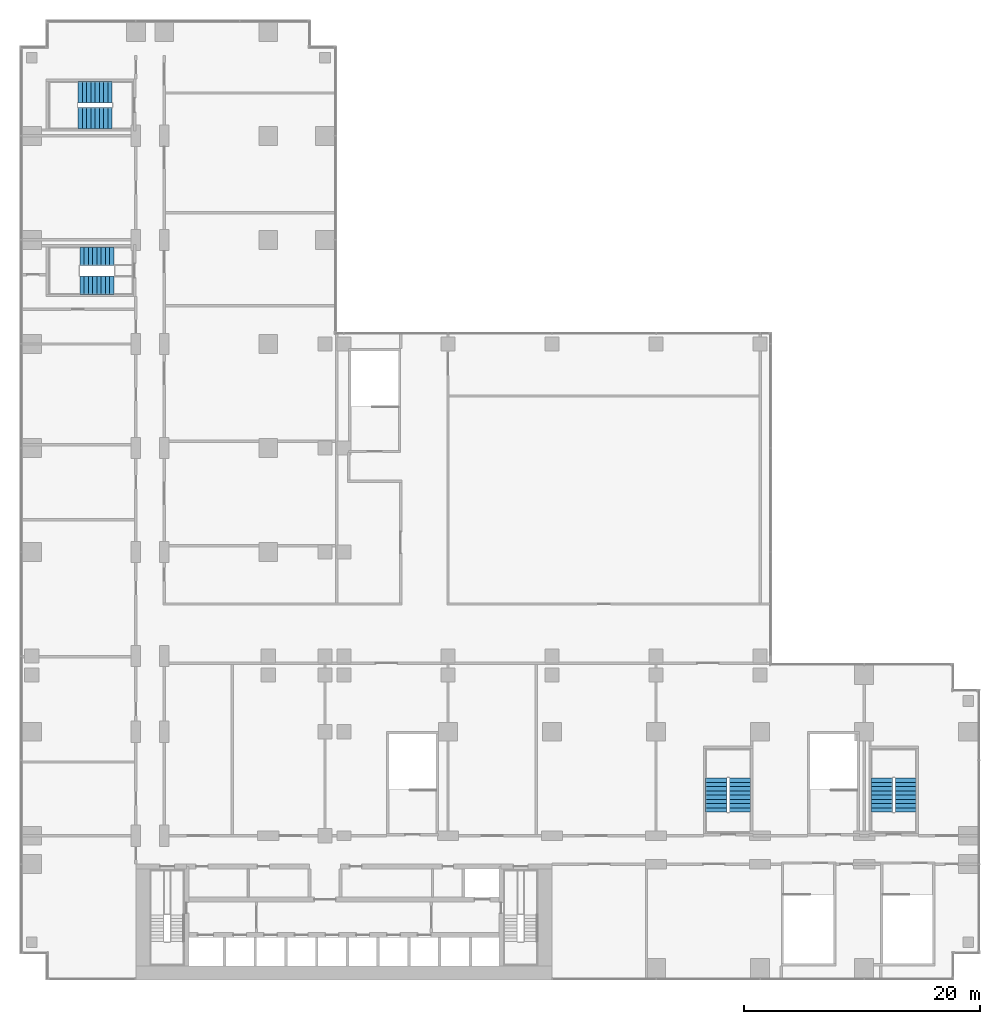
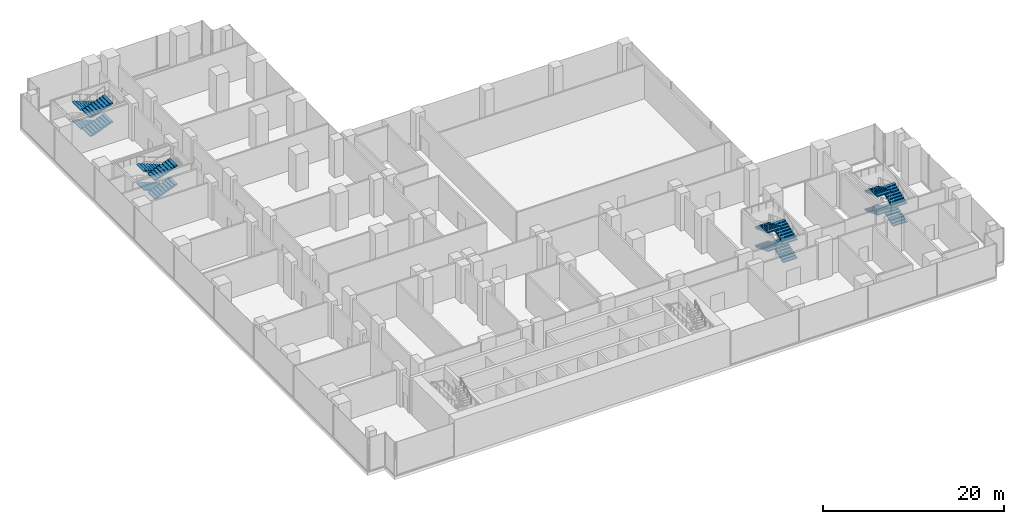
# One storey, part 23 of 27: 16 stair flights, 4 elements without a shape of their own.
"""IFC4 building model written with IfcOpenShell, lengths in metres."""

from ifc_helpers import new_model, si_unit, direction, frame, origin, place, context, subcontext, project, spatial, polyline, outline, extrude, material, type_object, element, aggregate, save


model = new_model("IFC4")

# Units and contexts
model_context = context("Model", 3, precision=1e-05, world=origin(), true_north=direction((0.0, 1.0)))
body_context = subcontext(model_context, "Body", "Model", "MODEL_VIEW")
ifc_project = project(units=[si_unit("LENGTHUNIT", "METRE"), si_unit("AREAUNIT", "SQUARE_METRE"), si_unit("VOLUMEUNIT", "CUBIC_METRE"), si_unit("PLANEANGLEUNIT", "RADIAN"), si_unit("MASSUNIT", "GRAM", prefix="KILO")], contexts=[model_context])

# Site, building, storey
site_placement = place(None, origin())
site = spatial("IfcSite", under=ifc_project, at=site_placement, CompositionType="ELEMENT")
building_placement = place(site_placement, origin())
building = spatial("IfcBuilding", under=site, at=building_placement, Name="Kemantara Hotel Tower", CompositionType="ELEMENT")
storey_placement = place(building_placement, frame((0.0, 0.0, 29.0)))
storey = spatial("IfcBuildingStorey", under=building, at=storey_placement, Name="L05", CompositionType="ELEMENT", Elevation=29.0)

# Stair, stair flights
ifc_material = material(Name="Concrete fc 40 MPa", Category="concrete")
stair_type_1 = type_object("IfcStairType", Name="Stair 1550 wide 36 risers of 139 x 360 mm", PredefinedType="HALF_TURN_STAIR", material=ifc_material)
stair_1_placement = place(storey_placement, origin())
stair_1 = element("IfcStair", 1, at=stair_1_placement, inside=storey, type_object=stair_type_1, Name="L05 Exit stair ST4", PredefinedType="HALF_TURN_STAIR")
stair_flight_type_1 = type_object("IfcStairFlightType", Name="Stair flight 1550 wide 139 x 360 mm", PredefinedType="STRAIGHT", material=ifc_material)
stair_flight_1_placement = place(storey_placement, frame((7.949951171875, 61.22509765625, 0.0), z_axis=(0.0, 0.0, 1.0), x_axis=(-1.0, 0.0, 0.0)))
stair_flight_1 = element("IfcStairFlight", 2, at=stair_flight_1_placement, type_object=stair_flight_type_1, Name="ST4 flight 1", NumberOfRisers=9, NumberOfTreads=8, PredefinedType="STRAIGHT", RiserHeight=0.138888889, TreadLength=0.36, context=body_context, shape_type="SweptSolid", body=[
    extrude(outline(polyline([(0.0, 0.0), (0.0, 0.138916015625), (0.360107421875, 0.138916015625), (0.360107421875, 0.27783203125), (0.719970703125, 0.27783203125), (0.719970703125, 0.416748046875), (1.080078125, 0.416748046875), (1.080078125, 0.5556640625), (1.43994140625, 0.5556640625), (1.43994140625, 0.6943359375), (1.800048828125, 0.6943359375), (1.800048828125, 0.833251953125), (2.159912109375, 0.833251953125), (2.159912109375, 0.97216796875), (2.52001953125, 0.97216796875), (2.52001953125, 1.111083984375), (2.8798828125, 1.111083984375), (2.8798828125, 1.25), (2.8798828125, 0.950439453125), (0.41650390625, 0.0), (0.0, 0.0)])), frame((0.0, 0.77490234375, 0.0), z_axis=(0.0, -1.0, 0.0), x_axis=(1.0, 0.0, 0.0)), (0.0, 0.0, 1.0), 1.550048828125),
])
stair_flight_2_placement = place(storey_placement, frame((5.070068359375, 58.77490234375, 1.25), z_axis=(0.0, 0.0, 1.0), x_axis=(1.0, 0.0, 0.0)))
stair_flight_2 = element("IfcStairFlight", 3, at=stair_flight_2_placement, type_object=stair_flight_type_1, Name="ST4 flight 2", NumberOfRisers=9, NumberOfTreads=8, PredefinedType="STRAIGHT", RiserHeight=0.138888889, TreadLength=0.36, context=body_context, shape_type="SweptSolid", body=[
    extrude(outline(polyline([(0.0, 0.0), (0.0, 0.138916015625), (0.360107421875, 0.138916015625), (0.360107421875, 0.27783203125), (0.719970703125, 0.27783203125), (0.719970703125, 0.416748046875), (1.080078125, 0.416748046875), (1.080078125, 0.5556640625), (1.43994140625, 0.5556640625), (1.43994140625, 0.6943359375), (1.800048828125, 0.6943359375), (1.800048828125, 0.833251953125), (2.159912109375, 0.833251953125), (2.159912109375, 0.97216796875), (2.52001953125, 0.97216796875), (2.52001953125, 1.111083984375), (2.8798828125, 1.111083984375), (2.8798828125, 1.25), (2.8798828125, 0.950439453125), (0.41650390625, 0.0), (0.0, 0.0)])), frame((0.0, 0.77490234375, 0.0), z_axis=(0.0, -1.0, 0.0), x_axis=(1.0, 0.0, 0.0)), (0.0, 0.0, 1.0), 1.550048828125),
])
stair_flight_3_placement = place(storey_placement, frame((7.949951171875, 61.22509765625, 2.5), z_axis=(0.0, 0.0, 1.0), x_axis=(-1.0, 0.0, 0.0)))
stair_flight_3 = element("IfcStairFlight", 4, at=stair_flight_3_placement, type_object=stair_flight_type_1, Name="ST4 flight 3", NumberOfRisers=9, NumberOfTreads=8, PredefinedType="STRAIGHT", RiserHeight=0.138888889, TreadLength=0.36, context=body_context, shape_type="SweptSolid", body=[
    extrude(outline(polyline([(0.0, 0.0), (0.0, 0.138916015625), (0.360107421875, 0.138916015625), (0.360107421875, 0.27783203125), (0.719970703125, 0.27783203125), (0.719970703125, 0.416748046875), (1.080078125, 0.416748046875), (1.080078125, 0.5556640625), (1.43994140625, 0.5556640625), (1.43994140625, 0.6943359375), (1.800048828125, 0.6943359375), (1.800048828125, 0.833251953125), (2.159912109375, 0.833251953125), (2.159912109375, 0.97216796875), (2.52001953125, 0.97216796875), (2.52001953125, 1.111083984375), (2.8798828125, 1.111083984375), (2.8798828125, 1.25), (2.8798828125, 0.950439453125), (0.41650390625, 0.0), (0.0, 0.0)])), frame((0.0, 0.77490234375, 0.0), z_axis=(0.0, -1.0, 0.0), x_axis=(1.0, 0.0, 0.0)), (0.0, 0.0, 1.0), 1.550048828125),
])
stair_flight_4_placement = place(storey_placement, frame((5.070068359375, 58.77490234375, 3.75), z_axis=(0.0, 0.0, 1.0), x_axis=(1.0, 0.0, 0.0)))
stair_flight_4 = element("IfcStairFlight", 5, at=stair_flight_4_placement, type_object=stair_flight_type_1, Name="ST4 flight 4", NumberOfRisers=9, NumberOfTreads=8, PredefinedType="STRAIGHT", RiserHeight=0.138888889, TreadLength=0.36, context=body_context, shape_type="SweptSolid", body=[
    extrude(outline(polyline([(0.0, 0.0), (0.0, 0.138916015625), (0.360107421875, 0.138916015625), (0.360107421875, 0.27783203125), (0.719970703125, 0.27783203125), (0.719970703125, 0.416748046875), (1.080078125, 0.416748046875), (1.080078125, 0.5556640625), (1.43994140625, 0.5556640625), (1.43994140625, 0.6943359375), (1.800048828125, 0.6943359375), (1.800048828125, 0.833251953125), (2.159912109375, 0.833251953125), (2.159912109375, 0.97216796875), (2.52001953125, 0.97216796875), (2.52001953125, 1.111083984375), (2.8798828125, 1.111083984375), (2.8798828125, 1.25), (2.8798828125, 0.950439453125), (0.41650390625, 0.0), (0.0, 0.0)])), frame((0.0, 0.77490234375, 0.0), z_axis=(0.0, -1.0, 0.0), x_axis=(1.0, 0.0, 0.0)), (0.0, 0.0, 1.0), 1.550048828125),
])
aggregate(stair_1, [stair_flight_1, stair_flight_2, stair_flight_3, stair_flight_4])

stair_type_2 = type_object("IfcStairType", Name="Stair 1800 wide 36 risers of 139 x 360 mm", PredefinedType="HALF_TURN_STAIR", material=ifc_material)
stair_2_placement = place(storey_placement, origin())
stair_2 = element("IfcStair", 6, at=stair_2_placement, inside=storey, type_object=stair_type_2, Name="L05 Exit stair ST3", PredefinedType="HALF_TURN_STAIR")
stair_flight_type_2 = type_object("IfcStairFlightType", Name="Stair flight 1800 wide 139 x 360 mm", PredefinedType="STRAIGHT", material=ifc_material)
stair_flight_5_placement = place(storey_placement, frame((60.89990234375, 14.199951171875, 0.0), z_axis=(0.0, 0.0, 1.0), x_axis=(0.0, 1.0, 0.0)))
stair_flight_5 = element("IfcStairFlight", 7, at=stair_flight_5_placement, type_object=stair_flight_type_2, Name="ST3 flight 1", NumberOfRisers=9, NumberOfTreads=8, PredefinedType="STRAIGHT", RiserHeight=0.138888889, TreadLength=0.36, context=body_context, shape_type="SweptSolid", body=[
    extrude(outline(polyline([(0.0, 0.0), (0.0, 0.138916015625), (0.360107421875, 0.138916015625), (0.360107421875, 0.27783203125), (0.719970703125, 0.27783203125), (0.719970703125, 0.416748046875), (1.080078125, 0.416748046875), (1.080078125, 0.5556640625), (1.43994140625, 0.5556640625), (1.43994140625, 0.6943359375), (1.800048828125, 0.6943359375), (1.800048828125, 0.833251953125), (2.159912109375, 0.833251953125), (2.159912109375, 0.97216796875), (2.52001953125, 0.97216796875), (2.52001953125, 1.111083984375), (2.8798828125, 1.111083984375), (2.8798828125, 1.25), (2.8798828125, 0.950439453125), (0.41650390625, 0.0), (0.0, 0.0)])), frame((0.0, 0.89990234375, 0.0), z_axis=(0.0, -1.0, 0.0), x_axis=(1.0, 0.0, 0.0)), (0.0, 0.0, 1.0), 1.800048828125),
])
stair_flight_6_placement = place(storey_placement, frame((58.89990234375, 17.080078125, 1.25), z_axis=(0.0, 0.0, 1.0), x_axis=(0.0, -1.0, 0.0)))
stair_flight_6 = element("IfcStairFlight", 8, at=stair_flight_6_placement, type_object=stair_flight_type_2, Name="ST3 flight 2", NumberOfRisers=9, NumberOfTreads=8, PredefinedType="STRAIGHT", RiserHeight=0.138888889, TreadLength=0.36, context=body_context, shape_type="SweptSolid", body=[
    extrude(outline(polyline([(0.0, 0.0), (0.0, 0.138916015625), (0.360107421875, 0.138916015625), (0.360107421875, 0.27783203125), (0.719970703125, 0.27783203125), (0.719970703125, 0.416748046875), (1.080078125, 0.416748046875), (1.080078125, 0.5556640625), (1.43994140625, 0.5556640625), (1.43994140625, 0.6943359375), (1.800048828125, 0.6943359375), (1.800048828125, 0.833251953125), (2.159912109375, 0.833251953125), (2.159912109375, 0.97216796875), (2.52001953125, 0.97216796875), (2.52001953125, 1.111083984375), (2.8798828125, 1.111083984375), (2.8798828125, 1.25), (2.8798828125, 0.950439453125), (0.41650390625, 0.0), (0.0, 0.0)])), frame((0.0, 0.89990234375, 0.0), z_axis=(0.0, -1.0, 0.0), x_axis=(1.0, 0.0, 0.0)), (0.0, 0.0, 1.0), 1.800048828125),
])
stair_flight_7_placement = place(storey_placement, frame((60.89990234375, 14.199951171875, 2.5), z_axis=(0.0, 0.0, 1.0), x_axis=(0.0, 1.0, 0.0)))
stair_flight_7 = element("IfcStairFlight", 9, at=stair_flight_7_placement, type_object=stair_flight_type_2, Name="ST3 flight 3", NumberOfRisers=9, NumberOfTreads=8, PredefinedType="STRAIGHT", RiserHeight=0.138888889, TreadLength=0.36, context=body_context, shape_type="SweptSolid", body=[
    extrude(outline(polyline([(0.0, 0.0), (0.0, 0.138916015625), (0.360107421875, 0.138916015625), (0.360107421875, 0.27783203125), (0.719970703125, 0.27783203125), (0.719970703125, 0.416748046875), (1.080078125, 0.416748046875), (1.080078125, 0.5556640625), (1.43994140625, 0.5556640625), (1.43994140625, 0.6943359375), (1.800048828125, 0.6943359375), (1.800048828125, 0.833251953125), (2.159912109375, 0.833251953125), (2.159912109375, 0.97216796875), (2.52001953125, 0.97216796875), (2.52001953125, 1.111083984375), (2.8798828125, 1.111083984375), (2.8798828125, 1.25), (2.8798828125, 0.950439453125), (0.41650390625, 0.0), (0.0, 0.0)])), frame((0.0, 0.89990234375, 0.0), z_axis=(0.0, -1.0, 0.0), x_axis=(1.0, 0.0, 0.0)), (0.0, 0.0, 1.0), 1.800048828125),
])
stair_flight_8_placement = place(storey_placement, frame((58.89990234375, 17.080078125, 3.75), z_axis=(0.0, 0.0, 1.0), x_axis=(0.0, -1.0, 0.0)))
stair_flight_8 = element("IfcStairFlight", 10, at=stair_flight_8_placement, type_object=stair_flight_type_2, Name="ST3 flight 4", NumberOfRisers=9, NumberOfTreads=8, PredefinedType="STRAIGHT", RiserHeight=0.138888889, TreadLength=0.36, context=body_context, shape_type="SweptSolid", body=[
    extrude(outline(polyline([(0.0, 0.0), (0.0, 0.138916015625), (0.360107421875, 0.138916015625), (0.360107421875, 0.27783203125), (0.719970703125, 0.27783203125), (0.719970703125, 0.416748046875), (1.080078125, 0.416748046875), (1.080078125, 0.5556640625), (1.43994140625, 0.5556640625), (1.43994140625, 0.6943359375), (1.800048828125, 0.6943359375), (1.800048828125, 0.833251953125), (2.159912109375, 0.833251953125), (2.159912109375, 0.97216796875), (2.52001953125, 0.97216796875), (2.52001953125, 1.111083984375), (2.8798828125, 1.111083984375), (2.8798828125, 1.25), (2.8798828125, 0.950439453125), (0.41650390625, 0.0), (0.0, 0.0)])), frame((0.0, 0.89990234375, 0.0), z_axis=(0.0, -1.0, 0.0), x_axis=(1.0, 0.0, 0.0)), (0.0, 0.0, 1.0), 1.800048828125),
])
aggregate(stair_2, [stair_flight_5, stair_flight_6, stair_flight_7, stair_flight_8])

stair_3_placement = place(storey_placement, origin())
stair_3 = element("IfcStair", 11, at=stair_3_placement, inside=storey, type_object=stair_type_2, Name="L05 Exit stair ST5", PredefinedType="HALF_TURN_STAIR")
stair_flight_9_placement = place(storey_placement, frame((74.89990234375, 14.199951171875, 0.0), z_axis=(0.0, 0.0, 1.0), x_axis=(0.0, 1.0, 0.0)))
stair_flight_9 = element("IfcStairFlight", 12, at=stair_flight_9_placement, type_object=stair_flight_type_2, Name="ST5 flight 1", NumberOfRisers=9, NumberOfTreads=8, PredefinedType="STRAIGHT", RiserHeight=0.138888889, TreadLength=0.36, context=body_context, shape_type="SweptSolid", body=[
    extrude(outline(polyline([(0.0, 0.0), (0.0, 0.138916015625), (0.360107421875, 0.138916015625), (0.360107421875, 0.27783203125), (0.719970703125, 0.27783203125), (0.719970703125, 0.416748046875), (1.080078125, 0.416748046875), (1.080078125, 0.5556640625), (1.43994140625, 0.5556640625), (1.43994140625, 0.6943359375), (1.800048828125, 0.6943359375), (1.800048828125, 0.833251953125), (2.159912109375, 0.833251953125), (2.159912109375, 0.97216796875), (2.52001953125, 0.97216796875), (2.52001953125, 1.111083984375), (2.8798828125, 1.111083984375), (2.8798828125, 1.25), (2.8798828125, 0.950439453125), (0.41650390625, 0.0), (0.0, 0.0)])), frame((0.0, 0.89990234375, 0.0), z_axis=(0.0, -1.0, 0.0), x_axis=(1.0, 0.0, 0.0)), (0.0, 0.0, 1.0), 1.800048828125),
])
stair_flight_10_placement = place(storey_placement, frame((72.89990234375, 17.080078125, 1.25), z_axis=(0.0, 0.0, 1.0), x_axis=(0.0, -1.0, 0.0)))
stair_flight_10 = element("IfcStairFlight", 13, at=stair_flight_10_placement, type_object=stair_flight_type_2, Name="ST5 flight 2", NumberOfRisers=9, NumberOfTreads=8, PredefinedType="STRAIGHT", RiserHeight=0.138888889, TreadLength=0.36, context=body_context, shape_type="SweptSolid", body=[
    extrude(outline(polyline([(0.0, 0.0), (0.0, 0.138916015625), (0.360107421875, 0.138916015625), (0.360107421875, 0.27783203125), (0.719970703125, 0.27783203125), (0.719970703125, 0.416748046875), (1.080078125, 0.416748046875), (1.080078125, 0.5556640625), (1.43994140625, 0.5556640625), (1.43994140625, 0.6943359375), (1.800048828125, 0.6943359375), (1.800048828125, 0.833251953125), (2.159912109375, 0.833251953125), (2.159912109375, 0.97216796875), (2.52001953125, 0.97216796875), (2.52001953125, 1.111083984375), (2.8798828125, 1.111083984375), (2.8798828125, 1.25), (2.8798828125, 0.950439453125), (0.41650390625, 0.0), (0.0, 0.0)])), frame((0.0, 0.89990234375, 0.0), z_axis=(0.0, -1.0, 0.0), x_axis=(1.0, 0.0, 0.0)), (0.0, 0.0, 1.0), 1.800048828125),
])
stair_flight_11_placement = place(storey_placement, frame((74.89990234375, 14.199951171875, 2.5), z_axis=(0.0, 0.0, 1.0), x_axis=(0.0, 1.0, 0.0)))
stair_flight_11 = element("IfcStairFlight", 14, at=stair_flight_11_placement, type_object=stair_flight_type_2, Name="ST5 flight 3", NumberOfRisers=9, NumberOfTreads=8, PredefinedType="STRAIGHT", RiserHeight=0.138888889, TreadLength=0.36, context=body_context, shape_type="SweptSolid", body=[
    extrude(outline(polyline([(0.0, 0.0), (0.0, 0.138916015625), (0.360107421875, 0.138916015625), (0.360107421875, 0.27783203125), (0.719970703125, 0.27783203125), (0.719970703125, 0.416748046875), (1.080078125, 0.416748046875), (1.080078125, 0.5556640625), (1.43994140625, 0.5556640625), (1.43994140625, 0.6943359375), (1.800048828125, 0.6943359375), (1.800048828125, 0.833251953125), (2.159912109375, 0.833251953125), (2.159912109375, 0.97216796875), (2.52001953125, 0.97216796875), (2.52001953125, 1.111083984375), (2.8798828125, 1.111083984375), (2.8798828125, 1.25), (2.8798828125, 0.950439453125), (0.41650390625, 0.0), (0.0, 0.0)])), frame((0.0, 0.89990234375, 0.0), z_axis=(0.0, -1.0, 0.0), x_axis=(1.0, 0.0, 0.0)), (0.0, 0.0, 1.0), 1.800048828125),
])
stair_flight_12_placement = place(storey_placement, frame((72.89990234375, 17.080078125, 3.75), z_axis=(0.0, 0.0, 1.0), x_axis=(0.0, -1.0, 0.0)))
stair_flight_12 = element("IfcStairFlight", 15, at=stair_flight_12_placement, type_object=stair_flight_type_2, Name="ST5 flight 4", NumberOfRisers=9, NumberOfTreads=8, PredefinedType="STRAIGHT", RiserHeight=0.138888889, TreadLength=0.36, context=body_context, shape_type="SweptSolid", body=[
    extrude(outline(polyline([(0.0, 0.0), (0.0, 0.138916015625), (0.360107421875, 0.138916015625), (0.360107421875, 0.27783203125), (0.719970703125, 0.27783203125), (0.719970703125, 0.416748046875), (1.080078125, 0.416748046875), (1.080078125, 0.5556640625), (1.43994140625, 0.5556640625), (1.43994140625, 0.6943359375), (1.800048828125, 0.6943359375), (1.800048828125, 0.833251953125), (2.159912109375, 0.833251953125), (2.159912109375, 0.97216796875), (2.52001953125, 0.97216796875), (2.52001953125, 1.111083984375), (2.8798828125, 1.111083984375), (2.8798828125, 1.25), (2.8798828125, 0.950439453125), (0.41650390625, 0.0), (0.0, 0.0)])), frame((0.0, 0.89990234375, 0.0), z_axis=(0.0, -1.0, 0.0), x_axis=(1.0, 0.0, 0.0)), (0.0, 0.0, 1.0), 1.800048828125),
])
aggregate(stair_3, [stair_flight_9, stair_flight_10, stair_flight_11, stair_flight_12])

stair_4_placement = place(storey_placement, origin())
stair_4 = element("IfcStair", 16, at=stair_4_placement, inside=storey, type_object=stair_type_2, Name="L05 Exit stair ST6", PredefinedType="HALF_TURN_STAIR")
stair_flight_13_placement = place(storey_placement, frame((7.800048828125, 75.10009765625, 0.0), z_axis=(0.0, 0.0, 1.0), x_axis=(-1.0, 0.0, 0.0)))
stair_flight_13 = element("IfcStairFlight", 17, at=stair_flight_13_placement, type_object=stair_flight_type_2, Name="ST6 flight 1", NumberOfRisers=9, NumberOfTreads=8, PredefinedType="STRAIGHT", RiserHeight=0.138888889, TreadLength=0.36, context=body_context, shape_type="SweptSolid", body=[
    extrude(outline(polyline([(0.0, 0.0), (0.0, 0.138916015625), (0.360107421875, 0.138916015625), (0.360107421875, 0.27783203125), (0.719970703125, 0.27783203125), (0.719970703125, 0.416748046875), (1.080078125, 0.416748046875), (1.080078125, 0.5556640625), (1.43994140625, 0.5556640625), (1.43994140625, 0.6943359375), (1.800048828125, 0.6943359375), (1.800048828125, 0.833251953125), (2.159912109375, 0.833251953125), (2.159912109375, 0.97216796875), (2.52001953125, 0.97216796875), (2.52001953125, 1.111083984375), (2.8798828125, 1.111083984375), (2.8798828125, 1.25), (2.8798828125, 0.950439453125), (0.41650390625, 0.0), (0.0, 0.0)])), frame((0.0, 0.89990234375, 0.0), z_axis=(0.0, -1.0, 0.0), x_axis=(1.0, 0.0, 0.0)), (0.0, 0.0, 1.0), 1.800048828125),
])
stair_flight_14_placement = place(storey_placement, frame((4.919921875, 72.89990234375, 1.25), z_axis=(0.0, 0.0, 1.0), x_axis=(1.0, 0.0, 0.0)))
stair_flight_14 = element("IfcStairFlight", 18, at=stair_flight_14_placement, type_object=stair_flight_type_2, Name="ST6 flight 2", NumberOfRisers=9, NumberOfTreads=8, PredefinedType="STRAIGHT", RiserHeight=0.138888889, TreadLength=0.36, context=body_context, shape_type="SweptSolid", body=[
    extrude(outline(polyline([(0.0, 0.0), (0.0, 0.138916015625), (0.360107421875, 0.138916015625), (0.360107421875, 0.27783203125), (0.719970703125, 0.27783203125), (0.719970703125, 0.416748046875), (1.080078125, 0.416748046875), (1.080078125, 0.5556640625), (1.43994140625, 0.5556640625), (1.43994140625, 0.6943359375), (1.800048828125, 0.6943359375), (1.800048828125, 0.833251953125), (2.159912109375, 0.833251953125), (2.159912109375, 0.97216796875), (2.52001953125, 0.97216796875), (2.52001953125, 1.111083984375), (2.8798828125, 1.111083984375), (2.8798828125, 1.25), (2.8798828125, 0.950439453125), (0.41650390625, 0.0), (0.0, 0.0)])), frame((0.0, 0.89990234375, 0.0), z_axis=(0.0, -1.0, 0.0), x_axis=(1.0, 0.0, 0.0)), (0.0, 0.0, 1.0), 1.800048828125),
])
stair_flight_15_placement = place(storey_placement, frame((7.800048828125, 75.10009765625, 2.5), z_axis=(0.0, 0.0, 1.0), x_axis=(-1.0, 0.0, 0.0)))
stair_flight_15 = element("IfcStairFlight", 19, at=stair_flight_15_placement, type_object=stair_flight_type_2, Name="ST6 flight 3", NumberOfRisers=9, NumberOfTreads=8, PredefinedType="STRAIGHT", RiserHeight=0.138888889, TreadLength=0.36, context=body_context, shape_type="SweptSolid", body=[
    extrude(outline(polyline([(0.0, 0.0), (0.0, 0.138916015625), (0.360107421875, 0.138916015625), (0.360107421875, 0.27783203125), (0.719970703125, 0.27783203125), (0.719970703125, 0.416748046875), (1.080078125, 0.416748046875), (1.080078125, 0.5556640625), (1.43994140625, 0.5556640625), (1.43994140625, 0.6943359375), (1.800048828125, 0.6943359375), (1.800048828125, 0.833251953125), (2.159912109375, 0.833251953125), (2.159912109375, 0.97216796875), (2.52001953125, 0.97216796875), (2.52001953125, 1.111083984375), (2.8798828125, 1.111083984375), (2.8798828125, 1.25), (2.8798828125, 0.950439453125), (0.41650390625, 0.0), (0.0, 0.0)])), frame((0.0, 0.89990234375, 0.0), z_axis=(0.0, -1.0, 0.0), x_axis=(1.0, 0.0, 0.0)), (0.0, 0.0, 1.0), 1.800048828125),
])
stair_flight_16_placement = place(storey_placement, frame((4.919921875, 72.89990234375, 3.75), z_axis=(0.0, 0.0, 1.0), x_axis=(1.0, 0.0, 0.0)))
stair_flight_16 = element("IfcStairFlight", 20, at=stair_flight_16_placement, type_object=stair_flight_type_2, Name="ST6 flight 4", NumberOfRisers=9, NumberOfTreads=8, PredefinedType="STRAIGHT", RiserHeight=0.138888889, TreadLength=0.36, context=body_context, shape_type="SweptSolid", body=[
    extrude(outline(polyline([(0.0, 0.0), (0.0, 0.138916015625), (0.360107421875, 0.138916015625), (0.360107421875, 0.27783203125), (0.719970703125, 0.27783203125), (0.719970703125, 0.416748046875), (1.080078125, 0.416748046875), (1.080078125, 0.5556640625), (1.43994140625, 0.5556640625), (1.43994140625, 0.6943359375), (1.800048828125, 0.6943359375), (1.800048828125, 0.833251953125), (2.159912109375, 0.833251953125), (2.159912109375, 0.97216796875), (2.52001953125, 0.97216796875), (2.52001953125, 1.111083984375), (2.8798828125, 1.111083984375), (2.8798828125, 1.25), (2.8798828125, 0.950439453125), (0.41650390625, 0.0), (0.0, 0.0)])), frame((0.0, 0.89990234375, 0.0), z_axis=(0.0, -1.0, 0.0), x_axis=(1.0, 0.0, 0.0)), (0.0, 0.0, 1.0), 1.800048828125),
])
aggregate(stair_4, [stair_flight_13, stair_flight_14, stair_flight_15, stair_flight_16])

save(model, "model.ifc")
